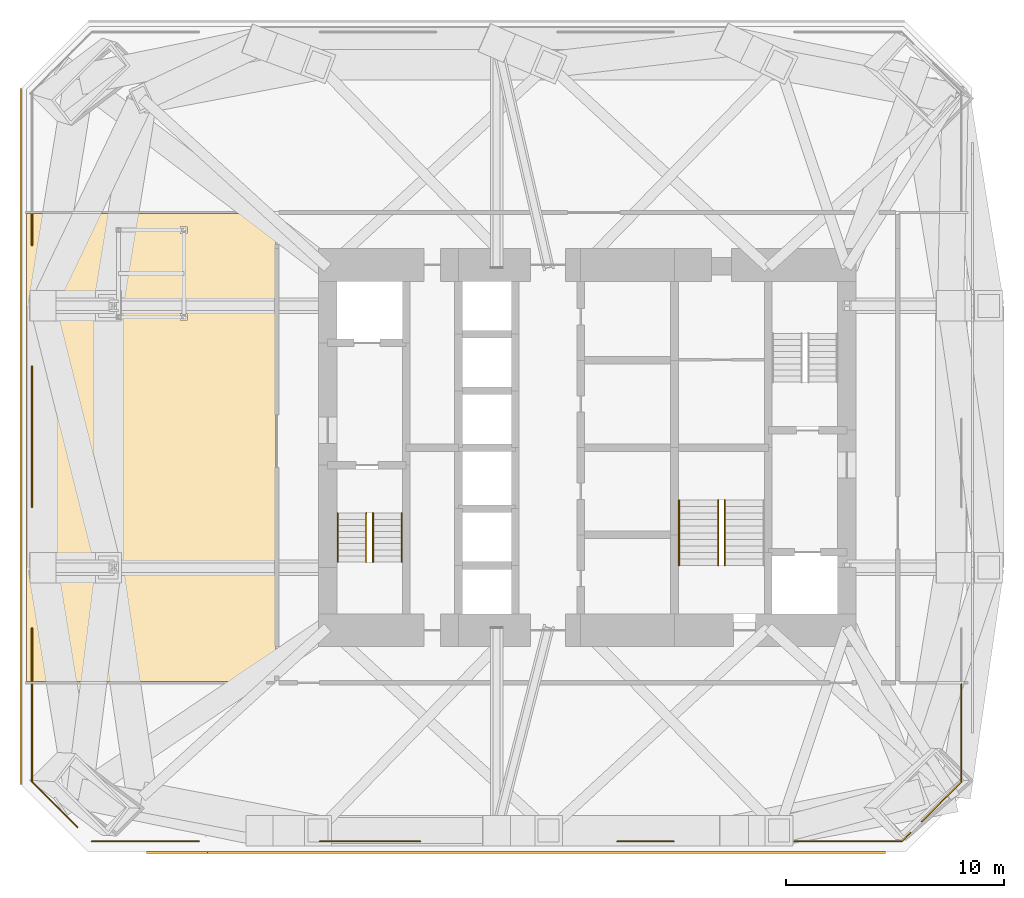
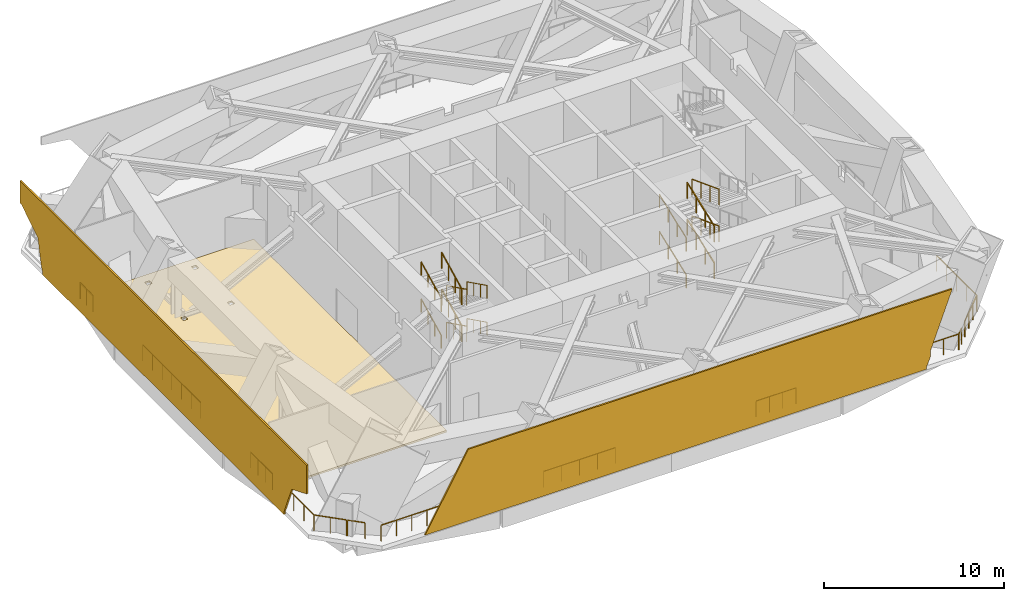
# One storey, part 10 of 11: 27 railings, 2 shading devices, 1 covering.
"""IFC4 building model written with IfcOpenShell, lengths in metres."""

import ifcopenshell
import ifcopenshell.guid

model = None  # the IFC model being written
_history = None  # IfcOwnerHistory: only IFC2X3 demands one
_inside = {}  # id of a spatial element -> (the spatial element, [elements in it])
_under = {}  # id of a project, library or spatial element -> (it, [spatial elements below it])
_declared = {}  # id of a project -> (the project, [libraries it declares])
_typed = {}  # id of a type object -> (the type object, [elements of that type])
_made_of = {}  # id of a material, layer set ... -> (it, [elements and type objects made of it])


def new_model(schema):
    """Start an empty IFC model of exactly this schema.

    Asked for "IFC4X3", IfcOpenShell would pick the latest addendum, in which some entities
    have other attributes; the version numbers below select the first issue.
    IFC2X3 requires an IfcOwnerHistory on every rooted entity: one is made here for all.
    """
    global model, _history
    if schema == "IFC4X3":
        model = ifcopenshell.file(schema_version=(4, 3, 0, 0))
    else:
        model = ifcopenshell.file(schema=schema)
    _inside.clear()
    _under.clear()
    _declared.clear()
    _typed.clear()
    _made_of.clear()
    _history = None
    if model.schema == "IFC2X3":
        org = make("IfcOrganization", Name="unknown")
        user = make(
            "IfcPersonAndOrganization",
            ThePerson=make("IfcPerson", FamilyName="unknown"),
            TheOrganization=org,
        )
        app = make(
            "IfcApplication",
            ApplicationDeveloper=org,
            Version="unknown",
            ApplicationFullName="unknown",
            ApplicationIdentifier="unknown",
        )
        _history = make(
            "IfcOwnerHistory",
            OwningUser=user,
            OwningApplication=app,
            ChangeAction="ADDED",
            CreationDate=0,
        )
    return model


def make(cls, **values):
    """One entity of the class cls with the attributes given. An attribute that is None is left unset."""
    return model.create_entity(
        cls, **{name: value for name, value in values.items() if value is not None}
    )


def rooted(cls, **values):
    """An entity with a GlobalId (a new one), such as an element, a storey or a relation."""
    return make(cls, GlobalId=ifcopenshell.guid.new(), OwnerHistory=_history, **values)


def si_unit(unit_type, name, prefix=None):
    """IfcSIUnit, for example si_unit("LENGTHUNIT", "METRE", prefix="MILLI")."""
    return make("IfcSIUnit", UnitType=unit_type, Prefix=prefix, Name=name)


def assignment(units):
    """IfcUnitAssignment: the units of a project."""
    return None if units is None else make("IfcUnitAssignment", Units=units)


def point(xyz):
    """IfcCartesianPoint."""
    return None if xyz is None else make("IfcCartesianPoint", Coordinates=xyz)


def direction(xyz):
    """IfcDirection."""
    return None if xyz is None else make("IfcDirection", DirectionRatios=xyz)


def frame(location, z_axis=None, x_axis=None):
    """IfcAxis2Placement3D, a coordinate frame: its origin and axes. An axis left out is left unset."""
    return make(
        "IfcAxis2Placement3D",
        Location=point(location),
        Axis=direction(z_axis),
        RefDirection=direction(x_axis),
    )


def frame_2d(location, x_axis=None):
    """IfcAxis2Placement2D, a coordinate frame in the plane: its origin and x axis."""
    return make(
        "IfcAxis2Placement2D", Location=point(location), RefDirection=direction(x_axis)
    )


def origin():
    """The frame at (0, 0, 0) with its axes left unset."""
    return frame((0.0, 0.0, 0.0))


def origin_2d():
    """The frame at (0, 0) in the plane with its x axis left unset."""
    return frame_2d((0.0, 0.0))


def place(relative_to, where):
    """IfcLocalPlacement: puts the frame where relative to a parent placement (None: the world)."""
    return make(
        "IfcLocalPlacement", PlacementRelTo=relative_to, RelativePlacement=where
    )


def context(
    kind, dimensions, precision=None, world=None, true_north=None, identifier=None
):
    """IfcGeometricRepresentationContext, for example the 3D "Model" context."""
    return make(
        "IfcGeometricRepresentationContext",
        ContextIdentifier=identifier,
        ContextType=kind,
        CoordinateSpaceDimension=dimensions,
        Precision=precision,
        WorldCoordinateSystem=world,
        TrueNorth=true_north,
    )


def subcontext(parent, identifier, kind, view, scale=None):
    """IfcGeometricRepresentationSubContext, for example "Body" below "Model"."""
    return make(
        "IfcGeometricRepresentationSubContext",
        ContextIdentifier=identifier,
        ContextType=kind,
        ParentContext=parent,
        TargetScale=scale,
        TargetView=view,
    )


def project(units=None, contexts=None):
    """IfcProject with its units and contexts."""
    return rooted(
        "IfcProject",
        Name="project",
        RepresentationContexts=contexts,
        UnitsInContext=assignment(units),
    )


def spatial(cls, under=None, at=None, **own):
    """A site, building, storey or space (cls), placed at a placement, below another one or the project."""
    s = rooted(cls, ObjectPlacement=at, **own)
    if under is not None:
        _under.setdefault(under.id(), (under, []))[1].append(s)
    return s


def polyline(points):
    """IfcPolyline through the points."""
    return make("IfcPolyline", Points=[point(p) for p in points])


def profile(cls, at=None, kind="AREA", **sizes):
    """A parametric profile (cls). Its sizes go by their IFC names, for example OverallWidth=200.0."""
    return make(cls, ProfileType=kind, Position=at, **sizes)


def rectangle(**sizes):
    """IfcRectangleProfileDef."""
    return profile("IfcRectangleProfileDef", **sizes)


def circle(**sizes):
    """IfcCircleProfileDef."""
    return profile("IfcCircleProfileDef", **sizes)


def outline(outer, holes=None, kind="AREA"):
    """IfcArbitraryClosedProfileDef: a profile drawn as a closed curve; with holes, ...WithVoids."""
    if holes is None:
        return make("IfcArbitraryClosedProfileDef", ProfileType=kind, OuterCurve=outer)
    return make(
        "IfcArbitraryProfileDefWithVoids",
        ProfileType=kind,
        OuterCurve=outer,
        InnerCurves=holes,
    )


def extrude(swept, where, along, depth):
    """IfcExtrudedAreaSolid: the profile swept, set in the frame where, extruded along a direction by depth."""
    return make(
        "IfcExtrudedAreaSolid",
        SweptArea=swept,
        Position=where,
        ExtrudedDirection=direction(along),
        Depth=depth,
    )


def shape(context_of_items, identifier, shape_type, items):
    """IfcShapeRepresentation: the items that make up one representation, for example the "Body"."""
    return make(
        "IfcShapeRepresentation",
        ContextOfItems=context_of_items,
        RepresentationIdentifier=identifier,
        RepresentationType=shape_type,
        Items=items,
    )


def material(Name=None, Category=None):
    """IfcMaterial."""
    return make("IfcMaterial", Name=Name, Category=Category)


def layer(
    of_material, thickness, ventilated=None, Name=None, Category=None, Priority=None
):
    """IfcMaterialLayer: one layer of a wall or slab, of a material (None: an air gap)."""
    return make(
        "IfcMaterialLayer",
        Material=of_material,
        LayerThickness=thickness,
        IsVentilated=ventilated,
        Name=Name,
        Category=Category,
        Priority=Priority,
    )


def layer_set(layers, Name=None):
    """IfcMaterialLayerSet."""
    return make("IfcMaterialLayerSet", MaterialLayers=layers, LayerSetName=Name)


def constituent(of_material, Name=None, Category=None, fraction=None):
    """IfcMaterialConstituent: one of the materials an element consists of."""
    return make(
        "IfcMaterialConstituent",
        Name=Name,
        Material=of_material,
        Fraction=fraction,
        Category=Category,
    )


def constituent_set(constituents=None, Name=None):
    """IfcMaterialConstituentSet."""
    return make(
        "IfcMaterialConstituentSet", Name=Name, MaterialConstituents=constituents
    )


def made_of(thing, what):
    """Note that an element or type object is made of a material, layer set ...; save() writes the relation."""
    if what is not None:
        _made_of.setdefault(what.id(), (what, []))[1].append(thing)
    return thing


def type_object(cls, material=None, **own):
    """A type object (cls), such as IfcWallType, which elements share."""
    return made_of(rooted(cls, **own), material)


def element(
    cls,
    number,
    at=None,
    inside=None,
    cuts=None,
    type_object=None,
    material=None,
    context=None,
    identifier="Body",
    shape_type=None,
    held_by="IfcProductDefinitionShape",
    body=None,
    shapes=None,
    **own,
):
    """One element of the class cls, such as IfcWall. Its Tag is "e" and its number.

    at: its placement. inside: the storey or other place that contains it. cuts: it is an
    opening in that element (IfcRelVoidsElement). A single representation is given by context,
    identifier, shape_type and body (its items); several are given by shapes. held_by: the class
    of the entity that holds the representations. save() writes the other relations.
    """
    e = rooted(cls, Tag="e%d" % number, ObjectPlacement=at, **own)
    if body is not None:
        shapes = [shape(context, identifier, shape_type, body)]
    if shapes is not None:
        e.Representation = make(held_by, Representations=shapes)
    if inside is not None:
        _inside.setdefault(inside.id(), (inside, []))[1].append(e)
    if cuts is not None:
        rooted(
            "IfcRelVoidsElement", RelatingBuildingElement=cuts, RelatedOpeningElement=e
        )
    if type_object is not None:
        _typed.setdefault(type_object.id(), (type_object, []))[1].append(e)
    return made_of(e, material)


def aggregate(whole, parts):
    """IfcRelAggregates: a whole, such as a stair, and the parts it consists of."""
    return rooted("IfcRelAggregates", RelatingObject=whole, RelatedObjects=parts)


def save(model, path):
    """Write the relations noted so far, then the file.

    IfcRelAggregates (storeys below a building ...), IfcRelContainedInSpatialStructure (elements
    in a storey), IfcRelDefinesByType, IfcRelAssociatesMaterial and IfcRelDeclares: one each for
    every whole, place, type object, material and project.
    """
    for whole, parts in _under.values():
        aggregate(whole, parts)
    for where, things in _inside.values():
        rooted(
            "IfcRelContainedInSpatialStructure",
            RelatedElements=things,
            RelatingStructure=where,
        )
    for kind, things in _typed.values():
        rooted("IfcRelDefinesByType", RelatedObjects=things, RelatingType=kind)
    for what, things in _made_of.values():
        rooted("IfcRelAssociatesMaterial", RelatedObjects=things, RelatingMaterial=what)
    for by, libraries in _declared.values():
        rooted("IfcRelDeclares", RelatingContext=by, RelatedDefinitions=libraries)
    model.write(path)


model = new_model("IFC4")

# Units and contexts
model_context = context("Model", 3, precision=1e-05, world=origin(), true_north=direction((0.0, 1.0)))
body_context = subcontext(model_context, "Body", "Model", "MODEL_VIEW")
ifc_project = project(units=[si_unit("LENGTHUNIT", "METRE"), si_unit("AREAUNIT", "SQUARE_METRE"), si_unit("VOLUMEUNIT", "CUBIC_METRE"), si_unit("PLANEANGLEUNIT", "RADIAN"), si_unit("MASSUNIT", "GRAM", prefix="KILO")], contexts=[model_context])

# Site, building, storey
site_placement = place(None, origin())
site = spatial("IfcSite", under=ifc_project, at=site_placement, CompositionType="ELEMENT")
building_placement = place(site_placement, origin())
building = spatial("IfcBuilding", under=site, at=building_placement, Name="Jalousie Tower", CompositionType="ELEMENT")
storey_placement = place(building_placement, frame((0.0, 0.0, 144.35009765625)))
storey = spatial("IfcBuildingStorey", under=building, at=storey_placement, Name="L39", CompositionType="ELEMENT", Elevation=144.35009765625)

# Covering
ifc_material_1 = material(Name="Sand-cement screed on resilient layer", Category="concrete")
ifc_layer_1 = layer(ifc_material_1, 0.1201171875)
ifc_layer_set_1 = layer_set([ifc_layer_1], Name="Sand-cement screed on resilient layer")
covering_type = type_object("IfcCoveringType", Name="FLOATING PLANT SCREED 120", PredefinedType="FLOORING", material=ifc_layer_set_1)
covering_placement = place(storey_placement, origin())
element("IfcCovering", 1, at=covering_placement, inside=storey, type_object=covering_type, Name="Floating screed Electrical plant room", PredefinedType="FLOORING", context=body_context, shape_type="SweptSolid", body=[
    extrude(outline(polyline([(17.625, 7.77490234375), (6.199951171875, 7.77490234375), (6.199951171875, 29.22509765625), (17.625, 29.22509765625), (17.625, 7.77490234375)]), holes=[polyline([(10.262451171875, 24.3349609375), (10.5625, 24.3349609375), (10.5625, 24.635009765625), (10.262451171875, 24.635009765625), (10.262451171875, 24.3349609375)]), polyline([(13.262451171875, 24.3349609375), (13.5625, 24.3349609375), (13.5625, 24.635009765625), (13.262451171875, 24.635009765625), (13.262451171875, 24.3349609375)]), polyline([(10.262451171875, 28.324951171875), (10.5625, 28.324951171875), (10.5625, 28.625), (10.262451171875, 28.625), (10.262451171875, 28.324951171875)]), polyline([(13.262451171875, 28.324951171875), (13.5625, 28.324951171875), (13.5625, 28.625), (13.262451171875, 28.625), (13.262451171875, 28.324951171875)])]), origin(), (0.0, 0.0, 1.0), 0.119873046875),
])

# Railings
ifc_material_2 = material(Name="Stainless steel AISI 316", Category="steel")
railing_type_1 = type_object("IfcRailingType", Name="PLANT GUARDRAIL 1100", PredefinedType="GUARDRAIL", material=ifc_material_2)
railing_1_placement = place(storey_placement, frame((7.78076171875, 1.855712890625, 0.0)))
element("IfcRailing", 2, at=railing_1_placement, inside=storey, type_object=railing_type_1, Name="Plant floor guard L39 1", PredefinedType="GUARDRAIL", context=body_context, shape_type="SweptSolid", body=[
    extrude(rectangle(XDim=0.048095703125, YDim=0.048095703125, at=origin_2d()), frame((0.0, 0.0, 1.076171875), z_axis=(-0.707171644442, 0.707041911981, 0.0), x_axis=(-0.707041911981, -0.707171644442, 0.0)), (0.0, 0.0, 1.0), 1.8818359375),
    extrude(circle(Radius=0.02099609375, at=origin_2d()), origin(), (0.0, 0.0, 1.0), 1.052001953125),
    extrude(circle(Radius=0.02099609375, at=origin_2d()), frame((-0.66552734375, 0.665283203125, 0.0)), (0.0, 0.0, 1.0), 1.052001953125),
    extrude(circle(Radius=0.02099609375, at=origin_2d()), frame((-1.330810546875, 1.33056640625, 0.0)), (0.0, 0.0, 1.0), 1.052001953125),
])
railing_2_placement = place(storey_placement, frame((8.53564453125, 1.100830078125, 0.0)))
element("IfcRailing", 3, at=railing_2_placement, inside=storey, type_object=railing_type_1, Name="Plant floor guard L39 2", PredefinedType="GUARDRAIL", context=body_context, shape_type="SweptSolid", body=[
    extrude(rectangle(XDim=0.048095703125, YDim=0.048095703125, at=origin_2d()), frame((0.0, 0.0, 1.076171875), z_axis=(-0.707106781187, 0.707106781187, 0.0), x_axis=(-0.707106781187, -0.707106781187, 0.0)), (0.0, 0.0, 1.0), 1.010986328125),
    extrude(circle(Radius=0.02099609375, at=origin_2d()), origin(), (0.0, 0.0, 1.0), 1.052001953125),
    extrude(circle(Radius=0.02099609375, at=origin_2d()), frame((-0.71484375, 0.71484375, 0.0)), (0.0, 0.0, 1.0), 1.052001953125),
])
railing_3_placement = place(storey_placement, frame((6.449951171875, 3.186279296875, 0.0)))
element("IfcRailing", 4, at=railing_3_placement, inside=storey, type_object=railing_type_1, Name="Plant floor guard L39 3", PredefinedType="GUARDRAIL", context=body_context, shape_type="SweptSolid", body=[
    extrude(rectangle(XDim=0.048095703125, YDim=0.048095703125, at=origin_2d()), frame((0.0, 0.0, 1.076171875), z_axis=(0.0, 1.0, 0.0), x_axis=(-1.0, 0.0, 0.0)), (0.0, 0.0, 1.0), 4.46875),
    extrude(circle(Radius=0.02099609375, at=origin_2d()), origin(), (0.0, 0.0, 1.0), 1.052001953125),
    extrude(circle(Radius=0.02099609375, at=origin_2d()), frame((0.0, 1.1171875, 0.0)), (0.0, 0.0, 1.0), 1.052001953125),
    extrude(circle(Radius=0.02099609375, at=origin_2d()), frame((0.0, 2.234375, 0.0)), (0.0, 0.0, 1.0), 1.052001953125),
    extrude(circle(Radius=0.02099609375, at=origin_2d()), frame((0.0, 3.3515625, 0.0)), (0.0, 0.0, 1.0), 1.052001953125),
    extrude(circle(Radius=0.02099609375, at=origin_2d()), frame((0.0, 4.46875, 0.0)), (0.0, 0.0, 1.0), 1.052001953125),
])
railing_4_placement = place(storey_placement, frame((6.449951171875, 7.794921875, 0.0)))
element("IfcRailing", 5, at=railing_4_placement, inside=storey, type_object=railing_type_1, Name="Plant floor guard L39 4", PredefinedType="GUARDRAIL", context=body_context, shape_type="SweptSolid", body=[
    extrude(rectangle(XDim=0.048095703125, YDim=0.048095703125, at=origin_2d()), frame((0.0, 0.0, 1.076171875), z_axis=(0.0, 1.0, 0.0), x_axis=(-1.0, 0.0, 0.0)), (0.0, 0.0, 1.0), 2.43505859375),
    extrude(circle(Radius=0.02099609375, at=origin_2d()), origin(), (0.0, 0.0, 1.0), 1.052001953125),
    extrude(circle(Radius=0.02099609375, at=origin_2d()), frame((0.0, 0.811767578125, 0.0)), (0.0, 0.0, 1.0), 1.052001953125),
    extrude(circle(Radius=0.02099609375, at=origin_2d()), frame((0.0, 1.623291015625, 0.0)), (0.0, 0.0, 1.0), 1.052001953125),
    extrude(circle(Radius=0.02099609375, at=origin_2d()), frame((0.0, 2.43505859375, 0.0)), (0.0, 0.0, 1.0), 1.052001953125),
])
railing_5_placement = place(storey_placement, frame((6.449951171875, 15.77001953125, 0.0)))
element("IfcRailing", 6, at=railing_5_placement, inside=storey, type_object=railing_type_1, Name="Plant floor guard L39 5", PredefinedType="GUARDRAIL", context=body_context, shape_type="SweptSolid", body=[
    extrude(rectangle(XDim=0.048095703125, YDim=0.048095703125, at=origin_2d()), frame((0.0, 0.0, 1.076171875), z_axis=(0.0, 1.0, 0.0), x_axis=(-1.0, 0.0, 0.0)), (0.0, 0.0, 1.0), 6.4599609375),
    extrude(circle(Radius=0.02099609375, at=origin_2d()), origin(), (0.0, 0.0, 1.0), 1.052001953125),
    extrude(circle(Radius=0.02099609375, at=origin_2d()), frame((0.0, 1.07666015625, 0.0)), (0.0, 0.0, 1.0), 1.052001953125),
    extrude(circle(Radius=0.02099609375, at=origin_2d()), frame((0.0, 2.1533203125, 0.0)), (0.0, 0.0, 1.0), 1.052001953125),
    extrude(circle(Radius=0.02099609375, at=origin_2d()), frame((0.0, 3.22998046875, 0.0)), (0.0, 0.0, 1.0), 1.052001953125),
    extrude(circle(Radius=0.02099609375, at=origin_2d()), frame((0.0, 4.306640625, 0.0)), (0.0, 0.0, 1.0), 1.052001953125),
    extrude(circle(Radius=0.02099609375, at=origin_2d()), frame((0.0, 5.38330078125, 0.0)), (0.0, 0.0, 1.0), 1.052001953125),
    extrude(circle(Radius=0.02099609375, at=origin_2d()), frame((0.0, 6.4599609375, 0.0)), (0.0, 0.0, 1.0), 1.052001953125),
])
railing_6_placement = place(storey_placement, frame((6.449951171875, 27.77001953125, 0.0)))
element("IfcRailing", 7, at=railing_6_placement, inside=storey, type_object=railing_type_1, Name="Plant floor guard L39 6", PredefinedType="GUARDRAIL", context=body_context, shape_type="SweptSolid", body=[
    extrude(rectangle(XDim=0.048095703125, YDim=0.048095703125, at=origin_2d()), frame((0.0, 0.0, 1.076171875), z_axis=(0.0, 1.0, 0.0), x_axis=(-1.0, 0.0, 0.0)), (0.0, 0.0, 1.0), 1.43505859375),
    extrude(circle(Radius=0.02099609375, at=origin_2d()), origin(), (0.0, 0.0, 1.0), 1.052001953125),
    extrude(circle(Radius=0.02099609375, at=origin_2d()), frame((0.0, 0.717529296875, 0.0)), (0.0, 0.0, 1.0), 1.052001953125),
    extrude(circle(Radius=0.02099609375, at=origin_2d()), frame((0.0, 1.43505859375, 0.0)), (0.0, 0.0, 1.0), 1.052001953125),
])
railing_7_placement = place(storey_placement, frame((49.050048828125, 7.655029296875, 0.0)))
element("IfcRailing", 8, at=railing_7_placement, inside=storey, type_object=railing_type_1, Name="Plant floor guard L39 17", PredefinedType="GUARDRAIL", context=body_context, shape_type="SweptSolid", body=[
    extrude(rectangle(XDim=0.048095703125, YDim=0.048095703125, at=origin_2d()), frame((0.0, 0.0, 1.076171875), z_axis=(0.0, -1.0, 0.0), x_axis=(1.0, 0.0, 0.0)), (0.0, 0.0, 1.0), 4.46875),
    extrude(circle(Radius=0.02099609375, at=origin_2d()), origin(), (0.0, 0.0, 1.0), 1.052001953125),
    extrude(circle(Radius=0.02099609375, at=origin_2d()), frame((0.0, -1.1171875, 0.0)), (0.0, 0.0, 1.0), 1.052001953125),
    extrude(circle(Radius=0.02099609375, at=origin_2d()), frame((0.0, -2.234375, 0.0)), (0.0, 0.0, 1.0), 1.052001953125),
    extrude(circle(Radius=0.02099609375, at=origin_2d()), frame((0.0, -3.3515625, 0.0)), (0.0, 0.0, 1.0), 1.052001953125),
    extrude(circle(Radius=0.02099609375, at=origin_2d()), frame((0.0, -4.46875, 0.0)), (0.0, 0.0, 1.0), 1.052001953125),
])
railing_8_placement = place(storey_placement, frame((46.71533203125, 0.851806640625, 0.0)))
element("IfcRailing", 9, at=railing_8_placement, inside=storey, type_object=railing_type_1, Name="Plant floor guard L39 21", PredefinedType="GUARDRAIL", context=body_context, shape_type="SweptSolid", body=[
    extrude(rectangle(XDim=0.048095703125, YDim=0.048095703125, at=origin_2d()), frame((0.0, 0.0, 1.076171875), z_axis=(-0.706891887787, -0.707321609299, 0.0), x_axis=(0.707321609299, -0.706891887787, 0.0)), (0.0, 0.0, 1.0), 0.568115234375),
    extrude(circle(Radius=0.02099609375, at=origin_2d()), origin(), (0.0, 0.0, 1.0), 1.052001953125),
    extrude(circle(Radius=0.02099609375, at=origin_2d()), frame((-0.401611328125, -0.40185546875, 0.0)), (0.0, 0.0, 1.0), 1.052001953125),
])
railing_9_placement = place(storey_placement, frame((49.050048828125, 3.186279296875, 0.0)))
element("IfcRailing", 10, at=railing_9_placement, inside=storey, type_object=railing_type_1, Name="Plant floor guard L39 22", PredefinedType="GUARDRAIL", context=body_context, shape_type="SweptSolid", body=[
    extrude(rectangle(XDim=0.048095703125, YDim=0.048095703125, at=origin_2d()), frame((0.0, 0.0, 1.076171875), z_axis=(-0.707106781187, -0.707106781187, 0.0), x_axis=(0.707106781187, -0.707106781187, 0.0)), (0.0, 0.0, 1.0), 2.571533203125),
    extrude(circle(Radius=0.02099609375, at=origin_2d()), origin(), (0.0, 0.0, 1.0), 1.052001953125),
    extrude(circle(Radius=0.02099609375, at=origin_2d()), frame((-0.606201171875, -0.606201171875, 0.0)), (0.0, 0.0, 1.0), 1.052001953125),
    extrude(circle(Radius=0.02099609375, at=origin_2d()), frame((-1.212158203125, -1.212158203125, 0.0)), (0.0, 0.0, 1.0), 1.052001953125),
    extrude(circle(Radius=0.02099609375, at=origin_2d()), frame((-1.818359375, -1.818359375, 0.0)), (0.0, 0.0, 1.0), 1.052001953125),
])
railing_10_placement = place(storey_placement, frame((14.10498046875, 0.449951171875, 0.0)))
element("IfcRailing", 11, at=railing_10_placement, inside=storey, type_object=railing_type_1, Name="Plant floor guard L39 23", PredefinedType="GUARDRAIL", context=body_context, shape_type="SweptSolid", body=[
    extrude(rectangle(XDim=0.048095703125, YDim=0.048095703125, at=origin_2d()), frame((0.0, 0.0, 1.076171875), z_axis=(-1.0, 0.0, 0.0), x_axis=(0.0, -1.0, 0.0)), (0.0, 0.0, 1.0), 4.918701171875),
    extrude(circle(Radius=0.02099609375, at=origin_2d()), origin(), (0.0, 0.0, 1.0), 1.052001953125),
    extrude(circle(Radius=0.02099609375, at=origin_2d()), frame((-0.983642578125, 0.0, 0.0)), (0.0, 0.0, 1.0), 1.052001953125),
    extrude(circle(Radius=0.02099609375, at=origin_2d()), frame((-1.967529296875, 0.0, 0.0)), (0.0, 0.0, 1.0), 1.052001953125),
    extrude(circle(Radius=0.02099609375, at=origin_2d()), frame((-2.951171875, 0.0, 0.0)), (0.0, 0.0, 1.0), 1.052001953125),
    extrude(circle(Radius=0.02099609375, at=origin_2d()), frame((-3.93505859375, 0.0, 0.0)), (0.0, 0.0, 1.0), 1.052001953125),
    extrude(circle(Radius=0.02099609375, at=origin_2d()), frame((-4.918701171875, 0.0, 0.0)), (0.0, 0.0, 1.0), 1.052001953125),
])
railing_11_placement = place(storey_placement, frame((24.2421875, 0.449951171875, 0.0)))
element("IfcRailing", 12, at=railing_11_placement, inside=storey, type_object=railing_type_1, Name="Plant floor guard L39 24", PredefinedType="GUARDRAIL", context=body_context, shape_type="SweptSolid", body=[
    extrude(rectangle(XDim=0.048095703125, YDim=0.048095703125, at=origin_2d()), frame((0.0, 0.0, 1.076171875), z_axis=(-1.0, 0.0, 0.0), x_axis=(0.0, -1.0, 0.0)), (0.0, 0.0, 1.0), 4.59716796875),
    extrude(circle(Radius=0.02099609375, at=origin_2d()), origin(), (0.0, 0.0, 1.0), 1.052001953125),
    extrude(circle(Radius=0.02099609375, at=origin_2d()), frame((-1.1494140625, 0.0, 0.0)), (0.0, 0.0, 1.0), 1.052001953125),
    extrude(circle(Radius=0.02099609375, at=origin_2d()), frame((-2.298583984375, 0.0, 0.0)), (0.0, 0.0, 1.0), 1.052001953125),
    extrude(circle(Radius=0.02099609375, at=origin_2d()), frame((-3.44775390625, 0.0, 0.0)), (0.0, 0.0, 1.0), 1.052001953125),
    extrude(circle(Radius=0.02099609375, at=origin_2d()), frame((-4.59716796875, 0.0, 0.0)), (0.0, 0.0, 1.0), 1.052001953125),
])
railing_12_placement = place(storey_placement, frame((35.85498046875, 0.449951171875, 0.0)))
element("IfcRailing", 13, at=railing_12_placement, inside=storey, type_object=railing_type_1, Name="Plant floor guard L39 25", PredefinedType="GUARDRAIL", context=body_context, shape_type="SweptSolid", body=[
    extrude(rectangle(XDim=0.048095703125, YDim=0.048095703125, at=origin_2d()), frame((0.0, 0.0, 1.076171875), z_axis=(-1.0, 0.0, 0.0), x_axis=(0.0, -1.0, 0.0)), (0.0, 0.0, 1.0), 2.573486328125),
    extrude(circle(Radius=0.02099609375, at=origin_2d()), origin(), (0.0, 0.0, 1.0), 1.052001953125),
    extrude(circle(Radius=0.02099609375, at=origin_2d()), frame((-0.85791015625, 0.0, 0.0)), (0.0, 0.0, 1.0), 1.052001953125),
    extrude(circle(Radius=0.02099609375, at=origin_2d()), frame((-1.715576171875, 0.0, 0.0)), (0.0, 0.0, 1.0), 1.052001953125),
    extrude(circle(Radius=0.02099609375, at=origin_2d()), frame((-2.573486328125, 0.0, 0.0)), (0.0, 0.0, 1.0), 1.052001953125),
])
railing_13_placement = place(storey_placement, frame((46.313720703125, 0.449951171875, 0.0)))
element("IfcRailing", 14, at=railing_13_placement, inside=storey, type_object=railing_type_1, Name="Plant floor guard L39 26", PredefinedType="GUARDRAIL", context=body_context, shape_type="SweptSolid", body=[
    extrude(rectangle(XDim=0.048095703125, YDim=0.048095703125, at=origin_2d()), frame((0.0, 0.0, 1.076171875), z_axis=(-1.0, 0.0, 0.0), x_axis=(0.0, -1.0, 0.0)), (0.0, 0.0, 1.0), 4.918701171875),
    extrude(circle(Radius=0.02099609375, at=origin_2d()), origin(), (0.0, 0.0, 1.0), 1.052001953125),
    extrude(circle(Radius=0.02099609375, at=origin_2d()), frame((-0.983642578125, 0.0, 0.0)), (0.0, 0.0, 1.0), 1.052001953125),
    extrude(circle(Radius=0.02099609375, at=origin_2d()), frame((-1.967529296875, 0.0, 0.0)), (0.0, 0.0, 1.0), 1.052001953125),
    extrude(circle(Radius=0.02099609375, at=origin_2d()), frame((-2.951171875, 0.0, 0.0)), (0.0, 0.0, 1.0), 1.052001953125),
    extrude(circle(Radius=0.02099609375, at=origin_2d()), frame((-3.93505859375, 0.0, 0.0)), (0.0, 0.0, 1.0), 1.052001953125),
    extrude(circle(Radius=0.02099609375, at=origin_2d()), frame((-4.918701171875, 0.0, 0.0)), (0.0, 0.0, 1.0), 1.052001953125),
])

# Shading devices
ifc_material_3 = material(Name="Aluminium storm louvres", Category="aluminium")
ifc_layer_2 = layer(ifc_material_3, 0.10009765625)
ifc_layer_set_2 = layer_set([ifc_layer_2], Name="Aluminium storm louvres")
shading_device_type = type_object("IfcShadingDeviceType", Name="PLANT LOUVRE SCREEN", PredefinedType="JALOUSIE", material=ifc_layer_set_2)
shading_device_1_placement = place(storey_placement, frame((45.57666015625, -0.10009765625, 4.719970703125), z_axis=(0.0, -1.0, 0.0), x_axis=(-1.0, 0.0, 0.0)))
element("IfcShadingDevice", 15, at=shading_device_1_placement, inside=storey, type_object=shading_device_type, Name="Plant louvre screen L39 1", PredefinedType="JALOUSIE", context=body_context, shape_type="SweptSolid", body=[
    extrude(outline(polyline([(0.0, 0.0), (31.093994140625, 0.0), (33.878173828125, 4.8701171875), (1.6572265625, 4.8701171875), (1.6572265625, 4.719970703125), (1.388671875, 4.072021484375), (1.400146484375, 3.70166015625), (0.0, 0.0)])), origin(), (0.0, 0.0, -1.0), 0.10009765625),
])
shading_device_2_placement = place(storey_placement, frame((5.89990234375, 34.949951171875, 4.719970703125), z_axis=(-1.0, 0.0, 0.0), x_axis=(0.0, 0.0, -1.0)))
element("IfcShadingDevice", 16, at=shading_device_2_placement, inside=storey, type_object=shading_device_type, Name="Plant louvre screen L39 5", PredefinedType="JALOUSIE", context=body_context, shape_type="SweptSolid", body=[
    extrude(outline(polyline([(0.0, 0.0), (1.538330078125, 0.0), (1.508056640625, 0.1328125), (2.683349609375, 1.99609375), (4.330078125, 2.369140625), (4.719970703125, 2.530517578125), (4.8701171875, 2.530517578125), (4.8701171875, 29.369384765625), (4.719970703125, 29.369384765625), (2.634765625, 30.233154296875), (1.9443359375, 31.89990234375), (0.0, 31.89990234375), (0.0, 0.0)])), origin(), (0.0, 0.0, -1.0), 0.10009765625),
])

# Railings
ifc_material_4 = material(Name="Steel ASTM A500 Grade C", Category="steel")
ifc_constituent_1 = constituent(ifc_material_4, Name="Body")
ifc_material_5 = material(Name="Hot-dip galvanised zinc coating")
ifc_constituent_2 = constituent(ifc_material_5, Name="Finish")
ifc_constituent_set_1 = constituent_set(constituents=[ifc_constituent_1, ifc_constituent_2])
railing_type_2 = type_object("IfcRailingType", Name="STAIR GUARD 1100", PredefinedType="GUARDRAIL", material=ifc_constituent_set_1)
railing_14_placement = place(storey_placement, frame((22.080078125, 15.49755859375, 0.138916015625)))
element("IfcRailing", 17, at=railing_14_placement, inside=storey, type_object=railing_type_2, Name="Exit stair A guard L39 flight 1", PredefinedType="GUARDRAIL", context=body_context, shape_type="SweptSolid", body=[
    extrude(rectangle(XDim=0.048095703125, YDim=0.048095703125, at=origin_2d()), frame((0.0, 0.0, 1.076171875), z_axis=(0.0, -0.895848192791, 0.444360231651), x_axis=(1.0, 0.0, 0.0)), (0.0, 0.0, 1.0), 2.50048828125),
    extrude(circle(Radius=0.02099609375, at=origin_2d()), origin(), (0.0, 0.0, 1.0), 1.052001953125),
    extrude(circle(Radius=0.02099609375, at=origin_2d()), frame((0.0, -0.74658203125, 0.370361328125)), (0.0, 0.0, 1.0), 1.052001953125),
    extrude(circle(Radius=0.02099609375, at=origin_2d()), frame((0.0, -1.493408203125, 0.74072265625)), (0.0, 0.0, 1.0), 1.052001953125),
    extrude(circle(Radius=0.02099609375, at=origin_2d()), frame((0.0, -2.239990234375, 1.111083984375)), (0.0, 0.0, 1.0), 1.052001953125),
])
railing_15_placement = place(storey_placement, frame((21.77001953125, 13.257568359375, 1.388916015625)))
element("IfcRailing", 18, at=railing_15_placement, inside=storey, type_object=railing_type_2, Name="Exit stair A guard L39 flight 2", PredefinedType="GUARDRAIL", context=body_context, shape_type="SweptSolid", body=[
    extrude(rectangle(XDim=0.048095703125, YDim=0.048095703125, at=origin_2d()), frame((0.0, 0.0, 1.076171875), z_axis=(0.0, 0.895848192791, 0.444360231651), x_axis=(-1.0, 0.0, 0.0)), (0.0, 0.0, 1.0), 2.50048828125),
    extrude(circle(Radius=0.02099609375, at=origin_2d()), origin(), (0.0, 0.0, 1.0), 1.052001953125),
    extrude(circle(Radius=0.02099609375, at=origin_2d()), frame((0.0, 0.74658203125, 0.370361328125)), (0.0, 0.0, 1.0), 1.052001953125),
    extrude(circle(Radius=0.02099609375, at=origin_2d()), frame((0.0, 1.493408203125, 0.74072265625)), (0.0, 0.0, 1.0), 1.052001953125),
    extrude(circle(Radius=0.02099609375, at=origin_2d()), frame((0.0, 2.239990234375, 1.111083984375)), (0.0, 0.0, 1.0), 1.052001953125),
])
railing_16_placement = place(storey_placement, frame((22.080078125, 15.49755859375, 2.638916015625)))
element("IfcRailing", 19, at=railing_16_placement, inside=storey, type_object=railing_type_2, Name="Exit stair A guard L39 flight 3", PredefinedType="GUARDRAIL", context=body_context, shape_type="SweptSolid", body=[
    extrude(rectangle(XDim=0.048095703125, YDim=0.048095703125, at=origin_2d()), frame((0.0, 0.0, 1.076171875), z_axis=(0.0, -0.895848192791, 0.444360231651), x_axis=(1.0, 0.0, 0.0)), (0.0, 0.0, 1.0), 2.50048828125),
    extrude(circle(Radius=0.02099609375, at=origin_2d()), origin(), (0.0, 0.0, 1.0), 1.052001953125),
    extrude(circle(Radius=0.02099609375, at=origin_2d()), frame((0.0, -0.74658203125, 0.370361328125)), (0.0, 0.0, 1.0), 1.052001953125),
    extrude(circle(Radius=0.02099609375, at=origin_2d()), frame((0.0, -1.493408203125, 0.74072265625)), (0.0, 0.0, 1.0), 1.052001953125),
    extrude(circle(Radius=0.02099609375, at=origin_2d()), frame((0.0, -2.239990234375, 1.111083984375)), (0.0, 0.0, 1.0), 1.052001953125),
])
railing_17_placement = place(storey_placement, frame((21.77001953125, 13.257568359375, 3.888916015625)))
element("IfcRailing", 20, at=railing_17_placement, inside=storey, type_object=railing_type_2, Name="Exit stair A guard L39 flight 4", PredefinedType="GUARDRAIL", context=body_context, shape_type="SweptSolid", body=[
    extrude(rectangle(XDim=0.048095703125, YDim=0.048095703125, at=origin_2d()), frame((0.0, 0.0, 1.076171875), z_axis=(0.0, 0.895848192791, 0.444360231651), x_axis=(-1.0, 0.0, 0.0)), (0.0, 0.0, 1.0), 2.50048828125),
    extrude(circle(Radius=0.02099609375, at=origin_2d()), origin(), (0.0, 0.0, 1.0), 1.052001953125),
    extrude(circle(Radius=0.02099609375, at=origin_2d()), frame((0.0, 0.74658203125, 0.370361328125)), (0.0, 0.0, 1.0), 1.052001953125),
    extrude(circle(Radius=0.02099609375, at=origin_2d()), frame((0.0, 1.493408203125, 0.74072265625)), (0.0, 0.0, 1.0), 1.052001953125),
    extrude(circle(Radius=0.02099609375, at=origin_2d()), frame((0.0, 2.239990234375, 1.111083984375)), (0.0, 0.0, 1.0), 1.052001953125),
])
railing_18_placement = place(storey_placement, frame((37.89501953125, 13.097412109375, 0.113525390625)))
element("IfcRailing", 21, at=railing_18_placement, inside=storey, type_object=railing_type_2, Name="Exit stair C guard L39 flight 1", PredefinedType="GUARDRAIL", context=body_context, shape_type="SweptSolid", body=[
    extrude(rectangle(XDim=0.048095703125, YDim=0.048095703125, at=origin_2d()), frame((0.0, 0.0, 1.076171875), z_axis=(0.0, 0.935147985876, 0.354257313985), x_axis=(-1.0, 0.0, 0.0)), (0.0, 0.0, 1.0), 3.2080078125),
    extrude(circle(Radius=0.02099609375, at=origin_2d()), origin(), (0.0, 0.0, 1.0), 1.052001953125),
    extrude(circle(Radius=0.02099609375, at=origin_2d()), frame((0.0, 1.0, 0.37890625)), (0.0, 0.0, 1.0), 1.052001953125),
    extrude(circle(Radius=0.02099609375, at=origin_2d()), frame((0.0, 2.0, 0.757568359375)), (0.0, 0.0, 1.0), 1.052001953125),
    extrude(circle(Radius=0.02099609375, at=origin_2d()), frame((0.0, 3.0, 1.136474609375)), (0.0, 0.0, 1.0), 1.052001953125),
])
railing_19_placement = place(storey_placement, frame((38.205078125, 16.097412109375, 1.363525390625)))
element("IfcRailing", 22, at=railing_19_placement, inside=storey, type_object=railing_type_2, Name="Exit stair C guard L39 flight 2", PredefinedType="GUARDRAIL", context=body_context, shape_type="SweptSolid", body=[
    extrude(rectangle(XDim=0.048095703125, YDim=0.048095703125, at=origin_2d()), frame((0.0, 0.0, 1.076171875), z_axis=(0.0, -0.935147985876, 0.354257313985), x_axis=(1.0, 0.0, 0.0)), (0.0, 0.0, 1.0), 3.2080078125),
    extrude(circle(Radius=0.02099609375, at=origin_2d()), origin(), (0.0, 0.0, 1.0), 1.052001953125),
    extrude(circle(Radius=0.02099609375, at=origin_2d()), frame((0.0, -1.0, 0.37890625)), (0.0, 0.0, 1.0), 1.052001953125),
    extrude(circle(Radius=0.02099609375, at=origin_2d()), frame((0.0, -2.0, 0.757568359375)), (0.0, 0.0, 1.0), 1.052001953125),
    extrude(circle(Radius=0.02099609375, at=origin_2d()), frame((0.0, -3.0, 1.136474609375)), (0.0, 0.0, 1.0), 1.052001953125),
])
railing_20_placement = place(storey_placement, frame((37.89501953125, 13.097412109375, 2.613525390625)))
element("IfcRailing", 23, at=railing_20_placement, inside=storey, type_object=railing_type_2, Name="Exit stair C guard L39 flight 3", PredefinedType="GUARDRAIL", context=body_context, shape_type="SweptSolid", body=[
    extrude(rectangle(XDim=0.048095703125, YDim=0.048095703125, at=origin_2d()), frame((0.0, 0.0, 1.076171875), z_axis=(0.0, 0.935147985876, 0.354257313985), x_axis=(-1.0, 0.0, 0.0)), (0.0, 0.0, 1.0), 3.2080078125),
    extrude(circle(Radius=0.02099609375, at=origin_2d()), origin(), (0.0, 0.0, 1.0), 1.052001953125),
    extrude(circle(Radius=0.02099609375, at=origin_2d()), frame((0.0, 1.0, 0.37890625)), (0.0, 0.0, 1.0), 1.052001953125),
    extrude(circle(Radius=0.02099609375, at=origin_2d()), frame((0.0, 2.0, 0.757568359375)), (0.0, 0.0, 1.0), 1.052001953125),
    extrude(circle(Radius=0.02099609375, at=origin_2d()), frame((0.0, 3.0, 1.136474609375)), (0.0, 0.0, 1.0), 1.052001953125),
])
railing_21_placement = place(storey_placement, frame((38.205078125, 16.097412109375, 3.863525390625)))
element("IfcRailing", 24, at=railing_21_placement, inside=storey, type_object=railing_type_2, Name="Exit stair C guard L39 flight 4", PredefinedType="GUARDRAIL", context=body_context, shape_type="SweptSolid", body=[
    extrude(rectangle(XDim=0.048095703125, YDim=0.048095703125, at=origin_2d()), frame((0.0, 0.0, 1.076171875), z_axis=(0.0, -0.935147985876, 0.354257313985), x_axis=(1.0, 0.0, 0.0)), (0.0, 0.0, 1.0), 3.2080078125),
    extrude(circle(Radius=0.02099609375, at=origin_2d()), origin(), (0.0, 0.0, 1.0), 1.052001953125),
    extrude(circle(Radius=0.02099609375, at=origin_2d()), frame((0.0, -1.0, 0.37890625)), (0.0, 0.0, 1.0), 1.052001953125),
    extrude(circle(Radius=0.02099609375, at=origin_2d()), frame((0.0, -2.0, 0.757568359375)), (0.0, 0.0, 1.0), 1.052001953125),
    extrude(circle(Radius=0.02099609375, at=origin_2d()), frame((0.0, -3.0, 1.136474609375)), (0.0, 0.0, 1.0), 1.052001953125),
])
ifc_material_6 = material(Name="Steel ASTM A500 Grade C", Category="steel")
ifc_constituent_3 = constituent(ifc_material_6, Name="Body")
ifc_material_7 = material(Name="Hot-dip galvanised zinc coating")
ifc_constituent_4 = constituent(ifc_material_7, Name="Finish")
ifc_constituent_set_2 = constituent_set(constituents=[ifc_constituent_3, ifc_constituent_4])
railing_type_3 = type_object("IfcRailingType", Name="STAIR HANDRAIL 900", PredefinedType="HANDRAIL", material=ifc_constituent_set_2)
railing_22_placement = place(storey_placement, frame((23.39501953125, 15.49755859375, 0.138916015625)))
element("IfcRailing", 25, at=railing_22_placement, inside=storey, type_object=railing_type_3, Name="Exit stair A handrail L39 flight 1", PredefinedType="HANDRAIL", context=body_context, shape_type="SweptSolid", body=[
    extrude(circle(Radius=0.02392578125, at=origin_2d()), frame((0.0, 0.0, 0.8759765625), z_axis=(0.0, -0.895848192791, 0.444360231651), x_axis=(1.0, 0.0, 0.0)), (0.0, 0.0, 1.0), 2.50048828125),
    extrude(circle(Radius=0.02099609375, at=origin_2d()), origin(), (0.0, 0.0, 1.0), 0.851806640625),
    extrude(circle(Radius=0.02099609375, at=origin_2d()), frame((0.0, -0.74658203125, 0.370361328125)), (0.0, 0.0, 1.0), 0.851806640625),
    extrude(circle(Radius=0.02099609375, at=origin_2d()), frame((0.0, -1.493408203125, 0.74072265625)), (0.0, 0.0, 1.0), 0.851806640625),
    extrude(circle(Radius=0.02099609375, at=origin_2d()), frame((0.0, -2.239990234375, 1.111083984375)), (0.0, 0.0, 1.0), 0.851806640625),
])
railing_23_placement = place(storey_placement, frame((20.455078125, 13.257568359375, 1.388916015625)))
element("IfcRailing", 26, at=railing_23_placement, inside=storey, type_object=railing_type_3, Name="Exit stair A handrail L39 flight 2", PredefinedType="HANDRAIL", context=body_context, shape_type="SweptSolid", body=[
    extrude(circle(Radius=0.02392578125, at=origin_2d()), frame((0.0, 0.0, 0.8759765625), z_axis=(0.0, 0.895848192791, 0.444360231651), x_axis=(-1.0, 0.0, 0.0)), (0.0, 0.0, 1.0), 2.50048828125),
    extrude(circle(Radius=0.02099609375, at=origin_2d()), origin(), (0.0, 0.0, 1.0), 0.851806640625),
    extrude(circle(Radius=0.02099609375, at=origin_2d()), frame((0.0, 0.74658203125, 0.370361328125)), (0.0, 0.0, 1.0), 0.851806640625),
    extrude(circle(Radius=0.02099609375, at=origin_2d()), frame((0.0, 1.493408203125, 0.74072265625)), (0.0, 0.0, 1.0), 0.851806640625),
    extrude(circle(Radius=0.02099609375, at=origin_2d()), frame((0.0, 2.239990234375, 1.111083984375)), (0.0, 0.0, 1.0), 0.851806640625),
])
railing_24_placement = place(storey_placement, frame((23.39501953125, 15.49755859375, 2.638916015625)))
element("IfcRailing", 27, at=railing_24_placement, inside=storey, type_object=railing_type_3, Name="Exit stair A handrail L39 flight 3", PredefinedType="HANDRAIL", context=body_context, shape_type="SweptSolid", body=[
    extrude(circle(Radius=0.02392578125, at=origin_2d()), frame((0.0, 0.0, 0.8759765625), z_axis=(0.0, -0.895848192791, 0.444360231651), x_axis=(1.0, 0.0, 0.0)), (0.0, 0.0, 1.0), 2.50048828125),
    extrude(circle(Radius=0.02099609375, at=origin_2d()), origin(), (0.0, 0.0, 1.0), 0.851806640625),
    extrude(circle(Radius=0.02099609375, at=origin_2d()), frame((0.0, -0.74658203125, 0.370361328125)), (0.0, 0.0, 1.0), 0.851806640625),
    extrude(circle(Radius=0.02099609375, at=origin_2d()), frame((0.0, -1.493408203125, 0.74072265625)), (0.0, 0.0, 1.0), 0.851806640625),
    extrude(circle(Radius=0.02099609375, at=origin_2d()), frame((0.0, -2.239990234375, 1.111083984375)), (0.0, 0.0, 1.0), 0.851806640625),
])
railing_25_placement = place(storey_placement, frame((20.455078125, 13.257568359375, 3.888916015625)))
element("IfcRailing", 28, at=railing_25_placement, inside=storey, type_object=railing_type_3, Name="Exit stair A handrail L39 flight 4", PredefinedType="HANDRAIL", context=body_context, shape_type="SweptSolid", body=[
    extrude(circle(Radius=0.02392578125, at=origin_2d()), frame((0.0, 0.0, 0.8759765625), z_axis=(0.0, 0.895848192791, 0.444360231651), x_axis=(-1.0, 0.0, 0.0)), (0.0, 0.0, 1.0), 2.50048828125),
    extrude(circle(Radius=0.02099609375, at=origin_2d()), origin(), (0.0, 0.0, 1.0), 0.851806640625),
    extrude(circle(Radius=0.02099609375, at=origin_2d()), frame((0.0, 0.74658203125, 0.370361328125)), (0.0, 0.0, 1.0), 0.851806640625),
    extrude(circle(Radius=0.02099609375, at=origin_2d()), frame((0.0, 1.493408203125, 0.74072265625)), (0.0, 0.0, 1.0), 0.851806640625),
    extrude(circle(Radius=0.02099609375, at=origin_2d()), frame((0.0, 2.239990234375, 1.111083984375)), (0.0, 0.0, 1.0), 0.851806640625),
])
for number, where, name in (
    (29, (36.10498046875, 13.097412109375, 0.113525390625), "Exit stair C handrail L39 flight 1"),
    (30, (36.10498046875, 13.097412109375, 2.613525390625), "Exit stair C handrail L39 flight 3"),
):
    element("IfcRailing", number, at=place(storey_placement, frame(where)), inside=storey, type_object=railing_type_3, Name=name, PredefinedType="HANDRAIL", context=body_context, shape_type="SweptSolid", body=[
        extrude(circle(Radius=0.02392578125, at=origin_2d()), frame((0.0, 0.0, 0.8759765625), z_axis=(0.0, 0.935147985876, 0.354257313985), x_axis=(-1.0, 0.0, 0.0)), (0.0, 0.0, 1.0), 3.2080078125),
        extrude(circle(Radius=0.02099609375, at=origin_2d()), origin(), (0.0, 0.0, 1.0), 0.851806640625),
        extrude(circle(Radius=0.02099609375, at=origin_2d()), frame((0.0, 1.0, 0.37890625)), (0.0, 0.0, 1.0), 0.851806640625),
        extrude(circle(Radius=0.02099609375, at=origin_2d()), frame((0.0, 2.0, 0.757568359375)), (0.0, 0.0, 1.0), 0.851806640625),
        extrude(circle(Radius=0.02099609375, at=origin_2d()), frame((0.0, 3.0, 1.136474609375)), (0.0, 0.0, 1.0), 0.851806640625),
    ])

save(model, "model.ifc")
